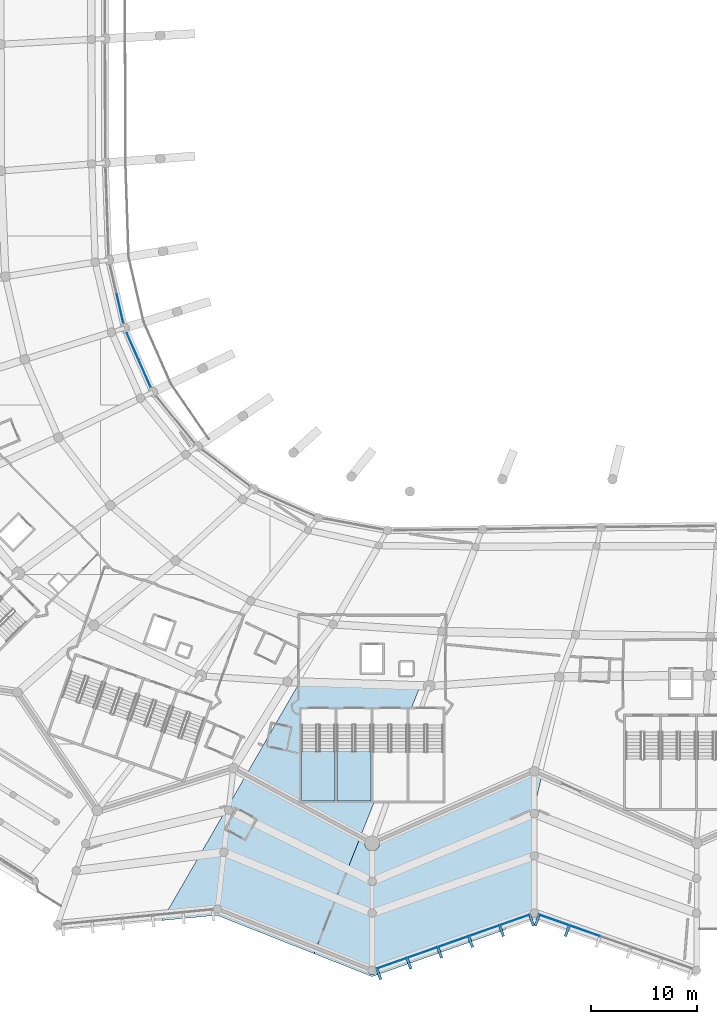
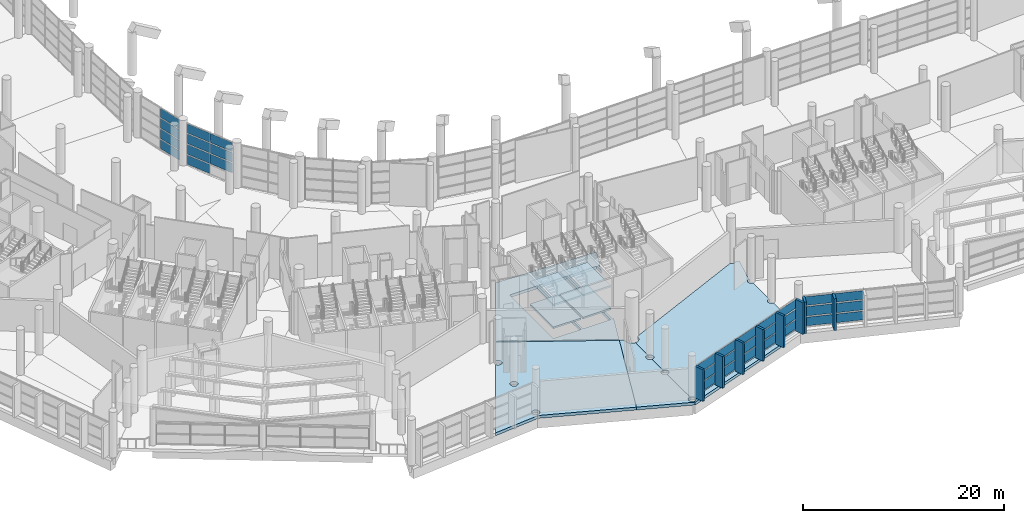
# One storey, part 117 of 271: 40 plates, 8 slabs, 6 elements without a shape of their own.
"""IFC4 building model written with IfcOpenShell, lengths in metres."""

from ifc_helpers import new_model, si_unit, direction, frame, origin, origin_2d, place, context, subcontext, project, spatial, polyline, rectangle, outline, extrude, material, layer, layer_set, type_object, element, aggregate, save


model = new_model("IFC4")

# Units and contexts
model_context = context("Model", 3, precision=1e-05, world=origin(), true_north=direction((0.0, 1.0)))
body_context = subcontext(model_context, "Body", "Model", "MODEL_VIEW")
ifc_project = project(units=[si_unit("LENGTHUNIT", "METRE"), si_unit("AREAUNIT", "SQUARE_METRE"), si_unit("VOLUMEUNIT", "CUBIC_METRE"), si_unit("PLANEANGLEUNIT", "RADIAN"), si_unit("MASSUNIT", "GRAM", prefix="KILO")], contexts=[model_context])

# Site, building, storey
site_placement = place(None, origin())
site = spatial("IfcSite", under=ifc_project, at=site_placement, CompositionType="ELEMENT")
building_placement = place(site_placement, origin())
building = spatial("IfcBuilding", under=site, at=building_placement, Name="Meseta Stadium", CompositionType="ELEMENT")
storey_placement = place(building_placement, frame((0.0, 0.0, 6.5)))
storey = spatial("IfcBuildingStorey", under=building, at=storey_placement, Name="L01", CompositionType="ELEMENT", Elevation=6.5)

# Curtain wall, plates
ifc_material_1 = material(Name="Aluminium", Category="aluminium")
ifc_layer_1 = layer(ifc_material_1, 0.199951171875)
ifc_layer_set_1 = layer_set([ifc_layer_1], Name="Club glazing curtain wall")
curtain_wall_type_1 = type_object("IfcCurtainWallType", Name="Club glazing curtain wall", PredefinedType="NOTDEFINED", material=ifc_layer_set_1)
curtain_wall_1_placement = place(storey_placement, origin())
curtain_wall_1 = element("IfcCurtainWall", 1, at=curtain_wall_1_placement, inside=storey, type_object=curtain_wall_type_1, Name="Club glazing bay 37", PredefinedType="NOTDEFINED")
ifc_material_2 = material(Name="Glass", Category="glass")
ifc_layer_2 = layer(ifc_material_2, 0.028076171875)
ifc_layer_set_2 = layer_set([ifc_layer_2], Name="CW glass panel 28")
plate_type_1 = type_object("IfcPlateType", Name="CW glass panel 28", PredefinedType="CURTAIN_PANEL", material=ifc_layer_set_2)
plate_1_placement = place(storey_placement, frame((-62.154541015625, -54.856201171875, 0.1201171875), z_axis=(0.0, 0.0, 1.0), x_axis=(0.226048245529, -0.974116107399, 0.0)))
plate_1 = element("IfcPlate", 2, at=plate_1_placement, type_object=plate_type_1, Name="CWC panel 2.1", PredefinedType="CURTAIN_PANEL", context=body_context, shape_type="SweptSolid", body=[
    extrude(rectangle(XDim=2.736572265625, YDim=0.028076171875, at=origin_2d()), origin(), (0.0, 0.0, 1.0), 1.107421875),
])
plate_2_placement = place(storey_placement, frame((-62.154541015625, -54.856201171875, 1.347412109375), z_axis=(0.0, 0.0, 1.0), x_axis=(0.226048245529, -0.974116107399, 0.0)))
plate_2 = element("IfcPlate", 3, at=plate_2_placement, type_object=plate_type_1, Name="CWC panel 2.2", PredefinedType="CURTAIN_PANEL", context=body_context, shape_type="SweptSolid", body=[
    extrude(rectangle(XDim=2.736572265625, YDim=0.028076171875, at=origin_2d()), origin(), (0.0, 0.0, 1.0), 1.16748046875),
])
plate_3_placement = place(storey_placement, frame((-62.154541015625, -54.856201171875, 2.635009765625), z_axis=(0.0, 0.0, 1.0), x_axis=(0.226048245529, -0.974116107399, 0.0)))
plate_3 = element("IfcPlate", 4, at=plate_3_placement, type_object=plate_type_1, Name="CWC panel 2.3", PredefinedType="CURTAIN_PANEL", context=body_context, shape_type="SweptSolid", body=[
    extrude(rectangle(XDim=2.736572265625, YDim=0.028076171875, at=origin_2d()), origin(), (0.0, 0.0, 1.0), 1.16748046875),
])
plate_4_placement = place(storey_placement, frame((-62.154541015625, -54.856201171875, 3.922607421875), z_axis=(0.0, 0.0, 1.0), x_axis=(0.226048245529, -0.974116107399, 0.0)))
plate_4 = element("IfcPlate", 5, at=plate_4_placement, type_object=plate_type_1, Name="CWC panel 2.4", PredefinedType="CURTAIN_PANEL", context=body_context, shape_type="SweptSolid", body=[
    extrude(rectangle(XDim=2.736572265625, YDim=0.028076171875, at=origin_2d()), origin(), (0.0, 0.0, 1.0), 1.107421875),
])
aggregate(curtain_wall_1, [plate_1, plate_2, plate_3, plate_4])

curtain_wall_2_placement = place(storey_placement, origin())
curtain_wall_2 = element("IfcCurtainWall", 6, at=curtain_wall_2_placement, inside=storey, type_object=curtain_wall_type_1, Name="Club glazing bay 38", PredefinedType="NOTDEFINED")
plate_5_placement = place(storey_placement, frame((-60.950927734375, -58.462890625, 0.1201171875), z_axis=(0.0, 0.0, 1.0), x_axis=(0.404230353712, -0.914657215102, 0.0)))
plate_5 = element("IfcPlate", 7, at=plate_5_placement, type_object=plate_type_1, Name="CWC panel 1.1", PredefinedType="CURTAIN_PANEL", context=body_context, shape_type="SweptSolid", body=[
    extrude(rectangle(XDim=2.737060546875, YDim=0.028076171875, at=origin_2d()), origin(), (0.0, 0.0, 1.0), 1.107421875),
])
plate_6_placement = place(storey_placement, frame((-60.950927734375, -58.462890625, 1.347412109375), z_axis=(0.0, 0.0, 1.0), x_axis=(0.404230353712, -0.914657215102, 0.0)))
plate_6 = element("IfcPlate", 8, at=plate_6_placement, type_object=plate_type_1, Name="CWC panel 1.2", PredefinedType="CURTAIN_PANEL", context=body_context, shape_type="SweptSolid", body=[
    extrude(rectangle(XDim=2.737060546875, YDim=0.028076171875, at=origin_2d()), origin(), (0.0, 0.0, 1.0), 1.16748046875),
])
plate_7_placement = place(storey_placement, frame((-60.950927734375, -58.462890625, 2.635009765625), z_axis=(0.0, 0.0, 1.0), x_axis=(0.404230353712, -0.914657215102, 0.0)))
plate_7 = element("IfcPlate", 9, at=plate_7_placement, type_object=plate_type_1, Name="CWC panel 1.3", PredefinedType="CURTAIN_PANEL", context=body_context, shape_type="SweptSolid", body=[
    extrude(rectangle(XDim=2.737060546875, YDim=0.028076171875, at=origin_2d()), origin(), (0.0, 0.0, 1.0), 1.16748046875),
])
plate_8_placement = place(storey_placement, frame((-60.950927734375, -58.462890625, 3.922607421875), z_axis=(0.0, 0.0, 1.0), x_axis=(0.404230353712, -0.914657215102, 0.0)))
plate_8 = element("IfcPlate", 10, at=plate_8_placement, type_object=plate_type_1, Name="CWC panel 1.4", PredefinedType="CURTAIN_PANEL", context=body_context, shape_type="SweptSolid", body=[
    extrude(rectangle(XDim=2.737060546875, YDim=0.028076171875, at=origin_2d()), origin(), (0.0, 0.0, 1.0), 1.107421875),
])
plate_9_placement = place(storey_placement, frame((-59.820068359375, -61.021484375, 1.347412109375), z_axis=(0.0, 0.0, 1.0), x_axis=(0.404230353712, -0.914657215102, 0.0)))
plate_9 = element("IfcPlate", 11, at=plate_9_placement, type_object=plate_type_1, Name="CWC panel 2.2", PredefinedType="CURTAIN_PANEL", context=body_context, shape_type="SweptSolid", body=[
    extrude(rectangle(XDim=2.737060546875, YDim=0.028076171875, at=origin_2d()), origin(), (0.0, 0.0, 1.0), 1.16748046875),
])
plate_10_placement = place(storey_placement, frame((-59.820068359375, -61.021484375, 2.635009765625), z_axis=(0.0, 0.0, 1.0), x_axis=(0.404230353712, -0.914657215102, 0.0)))
plate_10 = element("IfcPlate", 12, at=plate_10_placement, type_object=plate_type_1, Name="CWC panel 2.3", PredefinedType="CURTAIN_PANEL", context=body_context, shape_type="SweptSolid", body=[
    extrude(rectangle(XDim=2.737060546875, YDim=0.028076171875, at=origin_2d()), origin(), (0.0, 0.0, 1.0), 1.16748046875),
])
plate_11_placement = place(storey_placement, frame((-59.820068359375, -61.021484375, 3.922607421875), z_axis=(0.0, 0.0, 1.0), x_axis=(0.404230353712, -0.914657215102, 0.0)))
plate_11 = element("IfcPlate", 13, at=plate_11_placement, type_object=plate_type_1, Name="CWC panel 2.4", PredefinedType="CURTAIN_PANEL", context=body_context, shape_type="SweptSolid", body=[
    extrude(rectangle(XDim=2.737060546875, YDim=0.028076171875, at=origin_2d()), origin(), (0.0, 0.0, 1.0), 1.107421875),
])
aggregate(curtain_wall_2, [plate_5, plate_6, plate_7, plate_8, plate_9, plate_10, plate_11])

# Slabs
ifc_material_3 = material(Name="Concrete C40/50", Category="concrete")
ifc_layer_3 = layer(ifc_material_3, 0.35009765625)
ifc_layer_set_3 = layer_set([ifc_layer_3], Name="Floor slab 350")
slab_type_1 = type_object("IfcSlabType", Name="Floor slab 350", PredefinedType="FLOOR", material=ifc_layer_set_3)
slab_1_placement = place(storey_placement, frame((0.0, 0.0, -0.35009765625)))
element("IfcSlab", 14, at=slab_1_placement, inside=storey, type_object=slab_type_1, Name="Floor slab L01 sector 42 panel 04", PredefinedType="FLOOR", context=body_context, shape_type="SweptSolid", body=[
    extrude(outline(polyline([(-45.169189453125, -90.1630859375), (-50.244384765625, -98.943359375), (-39.443603515625, -104.798095703125), (-38.09521484375, -101.39990234375), (-38.2333984375, -101.39990234375), (-38.2333984375, -92.699951171875), (-35.033203125, -92.699951171875), (-35.033203125, -93.683837890625), (-34.833251953125, -93.179931640625), (-34.833251953125, -92.699951171875), (-34.642822265625, -92.699951171875), (-33.779541015625, -90.524658203125), (-45.169189453125, -90.1630859375)]), holes=[polyline([(-45.033203125, -92.699951171875), (-41.833251953125, -92.699951171875), (-41.833251953125, -101.39990234375), (-45.033203125, -101.39990234375), (-45.033203125, -92.699951171875)]), polyline([(-41.63330078125, -92.699951171875), (-38.433349609375, -92.699951171875), (-38.433349609375, -101.39990234375), (-41.63330078125, -101.39990234375), (-41.63330078125, -92.699951171875)])]), origin(), (0.0, 0.0, 1.0), 0.35009765625),
])
slab_2_placement = place(storey_placement, frame((0.0, 0.0, -0.35009765625)))
element("IfcSlab", 15, at=slab_2_placement, inside=storey, type_object=slab_type_1, Name="Ring floor slab L01 6 panel 02", PredefinedType="FLOOR", context=body_context, shape_type="SweptSolid", body=[
    extrude(outline(polyline([(-50.3193359375, -99.0732421875), (-51.937255859375, -101.8720703125), (-51.889404296875, -101.86572265625), (-51.784912109375, -101.879638671875), (-51.6875, -101.919921875), (-51.60400390625, -101.98388671875), (-51.539794921875, -102.0673828125), (-51.49951171875, -102.164794921875), (-51.48583984375, -102.269287109375), (-51.49951171875, -102.373779296875), (-51.539794921875, -102.470947265625), (-51.60400390625, -102.554443359375), (-51.6875, -102.61865234375), (-51.784912109375, -102.658935546875), (-51.889404296875, -102.672607421875), (-51.993896484375, -102.658935546875), (-52.091064453125, -102.61865234375), (-52.174560546875, -102.554443359375), (-52.23876953125, -102.470947265625), (-52.25732421875, -102.426025390625), (-58.19482421875, -112.697998046875), (-53.009033203125, -112.206298828125), (-43.822509765625, -115.8330078125), (-39.49951171875, -104.9384765625), (-50.3193359375, -99.0732421875)]), holes=[polyline([(-52.726806640625, -106.1396484375), (-52.6865234375, -106.04248046875), (-52.62255859375, -105.958740234375), (-52.538818359375, -105.894775390625), (-52.441650390625, -105.8544921875), (-52.337158203125, -105.8408203125), (-52.23291015625, -105.8544921875), (-52.135498046875, -105.894775390625), (-52.052001953125, -105.958740234375), (-51.98779296875, -106.04248046875), (-51.947509765625, -106.1396484375), (-51.93359375, -106.244140625), (-51.947509765625, -106.348388671875), (-51.98779296875, -106.44580078125), (-52.052001953125, -106.529296875), (-52.135498046875, -106.593505859375), (-52.23291015625, -106.6337890625), (-52.337158203125, -106.647705078125), (-52.441650390625, -106.6337890625), (-52.538818359375, -106.593505859375), (-52.62255859375, -106.529296875), (-52.6865234375, -106.44580078125), (-52.726806640625, -106.348388671875), (-52.740478515625, -106.244140625), (-52.726806640625, -106.1396484375)]), polyline([(-52.83740234375, -112.0), (-52.94189453125, -112.013671875), (-53.046142578125, -112.0), (-53.1435546875, -111.959716796875), (-53.22705078125, -111.8955078125), (-53.291259765625, -111.81201171875), (-53.33154296875, -111.714599609375), (-53.34521484375, -111.610107421875), (-53.33154296875, -111.505615234375), (-53.291259765625, -111.408447265625), (-53.22705078125, -111.324951171875), (-53.1435546875, -111.2607421875), (-53.046142578125, -111.220458984375), (-52.94189453125, -111.206787109375), (-52.83740234375, -111.220458984375), (-52.739990234375, -111.2607421875), (-52.656494140625, -111.324951171875), (-52.59228515625, -111.408447265625), (-52.552001953125, -111.505615234375), (-52.538330078125, -111.610107421875), (-52.552001953125, -111.714599609375), (-52.59228515625, -111.81201171875), (-52.656494140625, -111.8955078125), (-52.739990234375, -111.959716796875), (-52.83740234375, -112.0)])]), origin(), (0.0, 0.0, 1.0), 0.35009765625),
])
slab_3_placement = place(storey_placement, frame((0.0, 0.0, -0.35009765625)))
element("IfcSlab", 16, at=slab_3_placement, inside=storey, type_object=slab_type_1, Name="Ring floor slab L01 6 panel 03", PredefinedType="FLOOR", context=body_context, shape_type="SweptSolid", body=[
    extrude(outline(polyline([(-39.009765625, -105.203857421875), (-39.49951171875, -104.9384765625), (-43.822509765625, -115.8330078125), (-38.333251953125, -118.0), (-25.7548828125, -113.5703125), (-25.598876953125, -112.915283203125), (-37.95556640625, -117.266845703125), (-37.943603515625, -117.295654296875), (-37.929931640625, -117.39990234375), (-37.943603515625, -117.50439453125), (-37.98388671875, -117.601806640625), (-38.048095703125, -117.685302734375), (-38.131591796875, -117.74951171875), (-38.22900390625, -117.789794921875), (-38.333251953125, -117.803466796875), (-38.437744140625, -117.789794921875), (-38.53515625, -117.74951171875), (-38.61865234375, -117.685302734375), (-38.6826171875, -117.601806640625), (-38.722900390625, -117.50439453125), (-38.73681640625, -117.39990234375), (-38.722900390625, -117.295654296875), (-38.705078125, -117.252685546875), (-38.6826171875, -117.1982421875), (-38.61865234375, -117.11474609375), (-38.53515625, -117.050537109375), (-38.437744140625, -117.01025390625), (-38.333251953125, -116.99658203125), (-38.333251953125, -112.403564453125), (-38.437744140625, -112.3896484375), (-38.53515625, -112.349365234375), (-38.61865234375, -112.285400390625), (-38.6826171875, -112.20166015625), (-38.722900390625, -112.1044921875), (-38.73681640625, -112.0), (-38.722900390625, -111.8955078125), (-38.703369140625, -111.847900390625), (-38.6826171875, -111.79833984375), (-38.61865234375, -111.714599609375), (-38.53515625, -111.650634765625), (-38.437744140625, -111.6103515625), (-38.333251953125, -111.596435546875), (-38.333251953125, -109.403564453125), (-38.437744140625, -109.3896484375), (-38.53515625, -109.349365234375), (-38.61865234375, -109.285400390625), (-38.6826171875, -109.20166015625), (-38.722900390625, -109.1044921875), (-38.73681640625, -109.0), (-38.722900390625, -108.8955078125), (-38.6923828125, -108.82177734375), (-38.6826171875, -108.79833984375), (-38.61865234375, -108.714599609375), (-38.53515625, -108.650634765625), (-38.437744140625, -108.6103515625), (-38.333251953125, -108.596435546875), (-38.333251953125, -106.10595703125), (-38.51611328125, -106.08203125), (-38.686279296875, -106.011474609375), (-38.83251953125, -105.899169921875), (-38.94482421875, -105.7529296875), (-39.015380859375, -105.582763671875), (-39.039306640625, -105.39990234375), (-39.015380859375, -105.21728515625), (-39.009765625, -105.203857421875)])), origin(), (0.0, 0.0, 1.0), 0.35009765625),
])
slab_4_placement = place(storey_placement, frame((0.0, 0.0, -0.35009765625)))
element("IfcSlab", 17, at=slab_4_placement, inside=storey, type_object=slab_type_1, Name="Ring floor slab L01 6 panel 04", PredefinedType="FLOOR", context=body_context, shape_type="SweptSolid", body=[
    extrude(outline(polyline([(-23.1044921875, -102.210205078125), (-23.0, -102.196533203125), (-23.0, -102.0), (-22.302978515625, -99.072998046875), (-22.670654296875, -98.91015625), (-22.67919921875, -98.9208984375), (-22.773193359375, -98.9931640625), (-22.882568359375, -99.038330078125), (-23.0, -99.053955078125), (-23.117431640625, -99.038330078125), (-23.226806640625, -98.9931640625), (-23.32080078125, -98.9208984375), (-23.329345703125, -98.91015625), (-37.645751953125, -105.25927734375), (-37.627197265625, -105.39990234375), (-37.6513671875, -105.582763671875), (-37.721923828125, -105.7529296875), (-37.833984375, -105.899169921875), (-37.980224609375, -106.011474609375), (-38.150634765625, -106.08203125), (-38.333251953125, -106.10595703125), (-38.333251953125, -108.596435546875), (-38.22900390625, -108.6103515625), (-38.131591796875, -108.650634765625), (-38.048095703125, -108.714599609375), (-37.98388671875, -108.79833984375), (-37.943603515625, -108.8955078125), (-37.929931640625, -109.0), (-37.943603515625, -109.1044921875), (-37.98388671875, -109.20166015625), (-38.048095703125, -109.285400390625), (-38.131591796875, -109.349365234375), (-38.22900390625, -109.3896484375), (-38.333251953125, -109.403564453125), (-38.333251953125, -111.596435546875), (-38.22900390625, -111.6103515625), (-38.131591796875, -111.650634765625), (-38.048095703125, -111.714599609375), (-37.98388671875, -111.79833984375), (-37.943603515625, -111.8955078125), (-37.929931640625, -112.0), (-37.943603515625, -112.1044921875), (-37.98388671875, -112.20166015625), (-38.048095703125, -112.285400390625), (-38.131591796875, -112.349365234375), (-38.22900390625, -112.3896484375), (-38.333251953125, -112.403564453125), (-38.333251953125, -116.99658203125), (-38.22900390625, -117.01025390625), (-38.131591796875, -117.050537109375), (-38.048095703125, -117.11474609375), (-37.98388671875, -117.1982421875), (-37.95556640625, -117.266845703125), (-23.377685546875, -112.133056640625), (-23.3896484375, -112.1044921875), (-23.403564453125, -112.0), (-23.3896484375, -111.8955078125), (-23.349365234375, -111.79833984375), (-23.285400390625, -111.714599609375), (-23.20166015625, -111.650634765625), (-23.1044921875, -111.6103515625), (-23.0, -111.596435546875), (-23.0, -107.00341796875), (-23.1044921875, -106.98974609375), (-23.20166015625, -106.949462890625), (-23.285400390625, -106.88525390625), (-23.349365234375, -106.8017578125), (-23.3896484375, -106.704345703125), (-23.403564453125, -106.60009765625), (-23.3896484375, -106.49560546875), (-23.349365234375, -106.398193359375), (-23.285400390625, -106.314697265625), (-23.20166015625, -106.25048828125), (-23.1044921875, -106.210205078125), (-23.0, -106.196533203125), (-23.0, -103.00341796875), (-23.1044921875, -102.98974609375), (-23.20166015625, -102.949462890625), (-23.285400390625, -102.88525390625), (-23.349365234375, -102.8017578125), (-23.3896484375, -102.704345703125), (-23.403564453125, -102.60009765625), (-23.3896484375, -102.49560546875), (-23.349365234375, -102.398193359375), (-23.285400390625, -102.314697265625), (-23.20166015625, -102.25048828125), (-23.1044921875, -102.210205078125)])), origin(), (0.0, 0.0, 1.0), 0.35009765625),
])

# Curtain wall, plates
ifc_material_4 = material(Name="Aluminium", Category="aluminium")
ifc_layer_4 = layer(ifc_material_4, 0.199951171875)
ifc_layer_set_4 = layer_set([ifc_layer_4], Name="Ring shopfront curtain wall")
curtain_wall_type_2 = type_object("IfcCurtainWallType", Name="Ring shopfront curtain wall", PredefinedType="NOTDEFINED", material=ifc_layer_set_4)
curtain_wall_3_placement = place(storey_placement, origin())
curtain_wall_3 = element("IfcCurtainWall", 18, at=curtain_wall_3_placement, inside=storey, type_object=curtain_wall_type_2, Name="Ring glazing L01 F44", PredefinedType="NOTDEFINED")
ifc_material_5 = material(Name="Glass", Category="glass")
ifc_layer_5 = layer(ifc_material_5, 0.035888671875)
ifc_layer_set_5 = layer_set([ifc_layer_5], Name="Ring CW glass panel 36")
plate_type_2 = type_object("IfcPlateType", Name="Ring CW glass panel 36", PredefinedType="CURTAIN_PANEL", material=ifc_layer_set_5)
plate_12_placement = place(storey_placement, frame((-36.48388671875, -116.748779296875, 0.14990234375), z_axis=(0.0, 0.0, 1.0), x_axis=(0.943218009999, 0.332174330154, 0.0)))
plate_12 = element("IfcPlate", 19, at=plate_12_placement, type_object=plate_type_2, Name="CWR1 panel 1.1", PredefinedType="CURTAIN_PANEL", context=body_context, shape_type="SweptSolid", body=[
    extrude(rectangle(XDim=3.001220703125, YDim=0.035888671875, at=origin_2d()), origin(), (0.0, 0.0, 1.0), 1.058349609375),
])
plate_13_placement = place(storey_placement, frame((-36.48388671875, -116.748779296875, 1.3583984375), z_axis=(0.0, 0.0, 1.0), x_axis=(0.943218009999, 0.332174330154, 0.0)))
plate_13 = element("IfcPlate", 20, at=plate_13_placement, type_object=plate_type_2, Name="CWR1 panel 1.2", PredefinedType="CURTAIN_PANEL", context=body_context, shape_type="SweptSolid", body=[
    extrude(rectangle(XDim=3.001220703125, YDim=0.035888671875, at=origin_2d()), origin(), (0.0, 0.0, 1.0), 1.13330078125),
])
plate_14_placement = place(storey_placement, frame((-36.48388671875, -116.748779296875, 2.6416015625), z_axis=(0.0, 0.0, 1.0), x_axis=(0.943218009999, 0.332174330154, 0.0)))
plate_14 = element("IfcPlate", 21, at=plate_14_placement, type_object=plate_type_2, Name="CWR1 panel 1.3", PredefinedType="CURTAIN_PANEL", context=body_context, shape_type="SweptSolid", body=[
    extrude(rectangle(XDim=3.001220703125, YDim=0.035888671875, at=origin_2d()), origin(), (0.0, 0.0, 1.0), 1.058349609375),
])
plate_15_placement = place(storey_placement, frame((-33.582275390625, -115.726806640625, 0.14990234375), z_axis=(0.0, 0.0, 1.0), x_axis=(0.943218009999, 0.332174330154, 0.0)))
plate_15 = element("IfcPlate", 22, at=plate_15_placement, type_object=plate_type_2, Name="CWR1 panel 2.1", PredefinedType="CURTAIN_PANEL", context=body_context, shape_type="SweptSolid", body=[
    extrude(rectangle(XDim=3.03125, YDim=0.035888671875, at=origin_2d()), origin(), (0.0, 0.0, 1.0), 1.058349609375),
])
plate_16_placement = place(storey_placement, frame((-33.582275390625, -115.726806640625, 1.3583984375), z_axis=(0.0, 0.0, 1.0), x_axis=(0.943218009999, 0.332174330154, 0.0)))
plate_16 = element("IfcPlate", 23, at=plate_16_placement, type_object=plate_type_2, Name="CWR1 panel 2.2", PredefinedType="CURTAIN_PANEL", context=body_context, shape_type="SweptSolid", body=[
    extrude(rectangle(XDim=3.03125, YDim=0.035888671875, at=origin_2d()), origin(), (0.0, 0.0, 1.0), 1.13330078125),
])
plate_17_placement = place(storey_placement, frame((-33.582275390625, -115.726806640625, 2.6416015625), z_axis=(0.0, 0.0, 1.0), x_axis=(0.943218009999, 0.332174330154, 0.0)))
plate_17 = element("IfcPlate", 24, at=plate_17_placement, type_object=plate_type_2, Name="CWR1 panel 2.3", PredefinedType="CURTAIN_PANEL", context=body_context, shape_type="SweptSolid", body=[
    extrude(rectangle(XDim=3.03125, YDim=0.035888671875, at=origin_2d()), origin(), (0.0, 0.0, 1.0), 1.058349609375),
])
plate_18_placement = place(storey_placement, frame((-30.666748046875, -114.699951171875, 0.14990234375), z_axis=(0.0, 0.0, 1.0), x_axis=(0.943218009999, 0.332174330154, 0.0)))
plate_18 = element("IfcPlate", 25, at=plate_18_placement, type_object=plate_type_2, Name="CWR1 panel 3.1", PredefinedType="CURTAIN_PANEL", context=body_context, shape_type="SweptSolid", body=[
    extrude(rectangle(XDim=3.03125, YDim=0.035888671875, at=origin_2d()), origin(), (0.0, 0.0, 1.0), 1.058349609375),
])
plate_19_placement = place(storey_placement, frame((-30.666748046875, -114.699951171875, 1.3583984375), z_axis=(0.0, 0.0, 1.0), x_axis=(0.943218009999, 0.332174330154, 0.0)))
plate_19 = element("IfcPlate", 26, at=plate_19_placement, type_object=plate_type_2, Name="CWR1 panel 3.2", PredefinedType="CURTAIN_PANEL", context=body_context, shape_type="SweptSolid", body=[
    extrude(rectangle(XDim=3.03125, YDim=0.035888671875, at=origin_2d()), origin(), (0.0, 0.0, 1.0), 1.13330078125),
])
plate_20_placement = place(storey_placement, frame((-30.666748046875, -114.699951171875, 2.6416015625), z_axis=(0.0, 0.0, 1.0), x_axis=(0.943218009999, 0.332174330154, 0.0)))
plate_20 = element("IfcPlate", 27, at=plate_20_placement, type_object=plate_type_2, Name="CWR1 panel 3.3", PredefinedType="CURTAIN_PANEL", context=body_context, shape_type="SweptSolid", body=[
    extrude(rectangle(XDim=3.03125, YDim=0.035888671875, at=origin_2d()), origin(), (0.0, 0.0, 1.0), 1.058349609375),
])
plate_21_placement = place(storey_placement, frame((-27.7509765625, -113.673095703125, 0.14990234375), z_axis=(0.0, 0.0, 1.0), x_axis=(0.943218009999, 0.332174330154, 0.0)))
plate_21 = element("IfcPlate", 28, at=plate_21_placement, type_object=plate_type_2, Name="CWR1 panel 4.1", PredefinedType="CURTAIN_PANEL", context=body_context, shape_type="SweptSolid", body=[
    extrude(rectangle(XDim=3.03125, YDim=0.035888671875, at=origin_2d()), origin(), (0.0, 0.0, 1.0), 1.058349609375),
])
plate_22_placement = place(storey_placement, frame((-27.7509765625, -113.673095703125, 1.3583984375), z_axis=(0.0, 0.0, 1.0), x_axis=(0.943218009999, 0.332174330154, 0.0)))
plate_22 = element("IfcPlate", 29, at=plate_22_placement, type_object=plate_type_2, Name="CWR1 panel 4.2", PredefinedType="CURTAIN_PANEL", context=body_context, shape_type="SweptSolid", body=[
    extrude(rectangle(XDim=3.03125, YDim=0.035888671875, at=origin_2d()), origin(), (0.0, 0.0, 1.0), 1.13330078125),
])
plate_23_placement = place(storey_placement, frame((-27.7509765625, -113.673095703125, 2.6416015625), z_axis=(0.0, 0.0, 1.0), x_axis=(0.943218009999, 0.332174330154, 0.0)))
plate_23 = element("IfcPlate", 30, at=plate_23_placement, type_object=plate_type_2, Name="CWR1 panel 4.3", PredefinedType="CURTAIN_PANEL", context=body_context, shape_type="SweptSolid", body=[
    extrude(rectangle(XDim=3.03125, YDim=0.035888671875, at=origin_2d()), origin(), (0.0, 0.0, 1.0), 1.058349609375),
])
plate_24_placement = place(storey_placement, frame((-24.849365234375, -112.6513671875, 0.14990234375), z_axis=(0.0, 0.0, 1.0), x_axis=(0.943218009999, 0.332174330154, 0.0)))
plate_24 = element("IfcPlate", 31, at=plate_24_placement, type_object=plate_type_2, Name="CWR1 panel 5.1", PredefinedType="CURTAIN_PANEL", context=body_context, shape_type="SweptSolid", body=[
    extrude(rectangle(XDim=3.001220703125, YDim=0.035888671875, at=origin_2d()), origin(), (0.0, 0.0, 1.0), 1.058349609375),
])
plate_25_placement = place(storey_placement, frame((-24.849365234375, -112.6513671875, 1.3583984375), z_axis=(0.0, 0.0, 1.0), x_axis=(0.943218009999, 0.332174330154, 0.0)))
plate_25 = element("IfcPlate", 32, at=plate_25_placement, type_object=plate_type_2, Name="CWR1 panel 5.2", PredefinedType="CURTAIN_PANEL", context=body_context, shape_type="SweptSolid", body=[
    extrude(rectangle(XDim=3.001220703125, YDim=0.035888671875, at=origin_2d()), origin(), (0.0, 0.0, 1.0), 1.13330078125),
])
plate_26_placement = place(storey_placement, frame((-24.849365234375, -112.6513671875, 2.6416015625), z_axis=(0.0, 0.0, 1.0), x_axis=(0.943218009999, 0.332174330154, 0.0)))
plate_26 = element("IfcPlate", 33, at=plate_26_placement, type_object=plate_type_2, Name="CWR1 panel 5.3", PredefinedType="CURTAIN_PANEL", context=body_context, shape_type="SweptSolid", body=[
    extrude(rectangle(XDim=3.001220703125, YDim=0.035888671875, at=origin_2d()), origin(), (0.0, 0.0, 1.0), 1.058349609375),
])
aggregate(curtain_wall_3, [plate_12, plate_13, plate_14, plate_15, plate_16, plate_17, plate_18, plate_19, plate_20, plate_21, plate_22, plate_23, plate_24, plate_25, plate_26])

curtain_wall_4_placement = place(storey_placement, origin())
curtain_wall_4 = element("IfcCurtainWall", 34, at=curtain_wall_4_placement, inside=storey, type_object=curtain_wall_type_2, Name="Ring glazing L01 F45", PredefinedType="NOTDEFINED")
plate_27_placement = place(storey_placement, frame((-21.150634765625, -112.6513671875, 0.14990234375), z_axis=(0.0, 0.0, 1.0), x_axis=(0.943218009999, -0.332174330154, 0.0)))
plate_27 = element("IfcPlate", 35, at=plate_27_placement, type_object=plate_type_2, Name="CWR1 panel 1.1", PredefinedType="CURTAIN_PANEL", context=body_context, shape_type="SweptSolid", body=[
    extrude(rectangle(XDim=3.001220703125, YDim=0.035888671875, at=origin_2d()), origin(), (0.0, 0.0, 1.0), 1.058349609375),
])
plate_28_placement = place(storey_placement, frame((-21.150634765625, -112.6513671875, 1.3583984375), z_axis=(0.0, 0.0, 1.0), x_axis=(0.943218009999, -0.332174330154, 0.0)))
plate_28 = element("IfcPlate", 36, at=plate_28_placement, type_object=plate_type_2, Name="CWR1 panel 1.2", PredefinedType="CURTAIN_PANEL", context=body_context, shape_type="SweptSolid", body=[
    extrude(rectangle(XDim=3.001220703125, YDim=0.035888671875, at=origin_2d()), origin(), (0.0, 0.0, 1.0), 1.13330078125),
])
plate_29_placement = place(storey_placement, frame((-21.150634765625, -112.6513671875, 2.6416015625), z_axis=(0.0, 0.0, 1.0), x_axis=(0.943218009999, -0.332174330154, 0.0)))
plate_29 = element("IfcPlate", 37, at=plate_29_placement, type_object=plate_type_2, Name="CWR1 panel 1.3", PredefinedType="CURTAIN_PANEL", context=body_context, shape_type="SweptSolid", body=[
    extrude(rectangle(XDim=3.001220703125, YDim=0.035888671875, at=origin_2d()), origin(), (0.0, 0.0, 1.0), 1.058349609375),
])
plate_30_placement = place(storey_placement, frame((-18.2490234375, -113.673095703125, 0.14990234375), z_axis=(0.0, 0.0, 1.0), x_axis=(0.943218009999, -0.332174330154, 0.0)))
plate_30 = element("IfcPlate", 38, at=plate_30_placement, type_object=plate_type_2, Name="CWR1 panel 2.1", PredefinedType="CURTAIN_PANEL", context=body_context, shape_type="SweptSolid", body=[
    extrude(rectangle(XDim=3.03125, YDim=0.035888671875, at=origin_2d()), origin(), (0.0, 0.0, 1.0), 1.058349609375),
])
plate_31_placement = place(storey_placement, frame((-18.2490234375, -113.673095703125, 1.3583984375), z_axis=(0.0, 0.0, 1.0), x_axis=(0.943218009999, -0.332174330154, 0.0)))
plate_31 = element("IfcPlate", 39, at=plate_31_placement, type_object=plate_type_2, Name="CWR1 panel 2.2", PredefinedType="CURTAIN_PANEL", context=body_context, shape_type="SweptSolid", body=[
    extrude(rectangle(XDim=3.03125, YDim=0.035888671875, at=origin_2d()), origin(), (0.0, 0.0, 1.0), 1.13330078125),
])
plate_32_placement = place(storey_placement, frame((-18.2490234375, -113.673095703125, 2.6416015625), z_axis=(0.0, 0.0, 1.0), x_axis=(0.943218009999, -0.332174330154, 0.0)))
plate_32 = element("IfcPlate", 40, at=plate_32_placement, type_object=plate_type_2, Name="CWR1 panel 2.3", PredefinedType="CURTAIN_PANEL", context=body_context, shape_type="SweptSolid", body=[
    extrude(rectangle(XDim=3.03125, YDim=0.035888671875, at=origin_2d()), origin(), (0.0, 0.0, 1.0), 1.058349609375),
])
aggregate(curtain_wall_4, [plate_27, plate_28, plate_29, plate_30, plate_31, plate_32])

# Plates
ifc_material_6 = material(Name="Precast concrete C40/50", Category="concrete")
ifc_layer_6 = layer(ifc_material_6, 0.25)
ifc_layer_set_6 = layer_set([ifc_layer_6], Name="Ring brise-soleil fin 250x1000")
plate_type_3 = type_object("IfcPlateType", Name="Ring brise-soleil fin 250x1000", PredefinedType="USERDEFINED", material=ifc_layer_set_6)
for number, where, z_axis, x_axis, name in (
    (41, (-37.68603515625, -117.80810546875, 0.0), (0.0, 0.0, 1.0), (0.943217440256, 0.33217594795, 0.0), "Brise-soleil fin L01 F44.1"),
    (42, (-34.841064453125, -116.80615234375, 0.0), (0.0, 0.0, 1.0), (0.943217440256, 0.33217594795, 0.0), "Brise-soleil fin L01 F44.2"),
    (43, (-31.92529296875, -115.779296875, 0.0), (0.0, 0.0, 1.0), (0.943217440256, 0.33217594795, 0.0), "Brise-soleil fin L01 F44.3"),
    (44, (-29.009521484375, -114.75244140625, 0.0), (0.0, 0.0, 1.0), (0.943217440256, 0.33217594795, 0.0), "Brise-soleil fin L01 F44.4"),
    (45, (-26.09375, -113.7255859375, 0.0), (0.0, 0.0, 1.0), (0.943217440256, 0.33217594795, 0.0), "Brise-soleil fin L01 F44.5"),
    (46, (-23.248779296875, -112.7236328125, 0.0), (0.0, 0.0, 1.0), (0.943217440256, 0.33217594795, 0.0), "Brise-soleil fin L01 F44.6"),
    (47, (-22.751220703125, -112.7236328125, 0.0), (0.0, 0.0, 1.0), (0.943217440256, -0.33217594795, 0.0), "Brise-soleil fin L01 F45.1"),
    (48, (-19.90625, -113.7255859375, 0.0), (0.0, 0.0, 1.0), (0.943217440256, -0.33217594795, 0.0), "Brise-soleil fin L01 F45.2"),
):
    element("IfcPlate", number, at=place(storey_placement, frame(where, z_axis=z_axis, x_axis=x_axis)), inside=storey, type_object=plate_type_3, Name=name, ObjectType="FIN", PredefinedType="USERDEFINED", context=body_context, shape_type="SweptSolid", body=[
        extrude(rectangle(XDim=0.25, YDim=1.0, at=origin_2d()), origin(), (0.0, 0.0, 1.0), 3.85009765625),
    ])

# Stair, slabs
ifc_material_7 = material(Name="Concrete C40/50", Category="concrete")
stair_type = type_object("IfcStairType", Name="Exit stair 4 flights 153 mm risers", PredefinedType="HALF_TURN_STAIR", material=ifc_material_7)
stair_1_placement = place(storey_placement, origin())
stair_1 = element("IfcStair", 49, at=stair_1_placement, inside=storey, type_object=stair_type, Name="ST89 L01", PredefinedType="HALF_TURN_STAIR")
ifc_material_8 = material(Name="Concrete C40/50", Category="concrete")
ifc_layer_7 = layer(ifc_material_8, 0.199951171875)
ifc_layer_set_7 = layer_set([ifc_layer_7], Name="Stair landing 200")
slab_type_2 = type_object("IfcSlabType", Name="Stair landing 200", PredefinedType="LANDING", material=ifc_layer_set_7)
slab_5_placement = place(storey_placement, frame((0.0, 0.0, 1.175048828125)))
slab_5 = element("IfcSlab", 50, at=slab_5_placement, type_object=slab_type_2, Name="ST89 L01 landing 1", PredefinedType="LANDING", context=body_context, shape_type="SweptSolid", body=[
    extrude(outline(polyline([(-45.033447265625, -96.75), (-45.033447265625, -101.39990234375), (-41.833251953125, -101.39990234375), (-41.833251953125, -96.75), (-45.033447265625, -96.75)])), origin(), (0.0, 0.0, 1.0), 0.199951171875),
])
slab_6_placement = place(storey_placement, frame((0.0, 0.0, 3.925048828125)))
slab_6 = element("IfcSlab", 51, at=slab_6_placement, type_object=slab_type_2, Name="ST89 L01 landing 3", PredefinedType="LANDING", context=body_context, shape_type="SweptSolid", body=[
    extrude(outline(polyline([(-45.033447265625, -96.75), (-45.033447265625, -101.39990234375), (-41.833251953125, -101.39990234375), (-41.833251953125, -96.75), (-45.033447265625, -96.75)])), origin(), (0.0, 0.0, 1.0), 0.199951171875),
])
aggregate(stair_1, [slab_5, slab_6])

stair_2_placement = place(storey_placement, origin())
stair_2 = element("IfcStair", 52, at=stair_2_placement, inside=storey, type_object=stair_type, Name="ST90 L01", PredefinedType="HALF_TURN_STAIR")
slab_7_placement = place(storey_placement, frame((0.0, 0.0, 1.175048828125)))
slab_7 = element("IfcSlab", 53, at=slab_7_placement, type_object=slab_type_2, Name="ST90 L01 landing 1", PredefinedType="LANDING", context=body_context, shape_type="SweptSolid", body=[
    extrude(outline(polyline([(-41.63330078125, -96.75), (-41.63330078125, -101.39990234375), (-38.433349609375, -101.39990234375), (-38.433349609375, -96.75), (-41.63330078125, -96.75)])), origin(), (0.0, 0.0, 1.0), 0.199951171875),
])
slab_8_placement = place(storey_placement, frame((0.0, 0.0, 3.925048828125)))
slab_8 = element("IfcSlab", 54, at=slab_8_placement, type_object=slab_type_2, Name="ST90 L01 landing 3", PredefinedType="LANDING", context=body_context, shape_type="SweptSolid", body=[
    extrude(outline(polyline([(-41.63330078125, -96.75), (-41.63330078125, -101.39990234375), (-38.433349609375, -101.39990234375), (-38.433349609375, -96.75), (-41.63330078125, -96.75)])), origin(), (0.0, 0.0, 1.0), 0.199951171875),
])
aggregate(stair_2, [slab_7, slab_8])

save(model, "model.ifc")
